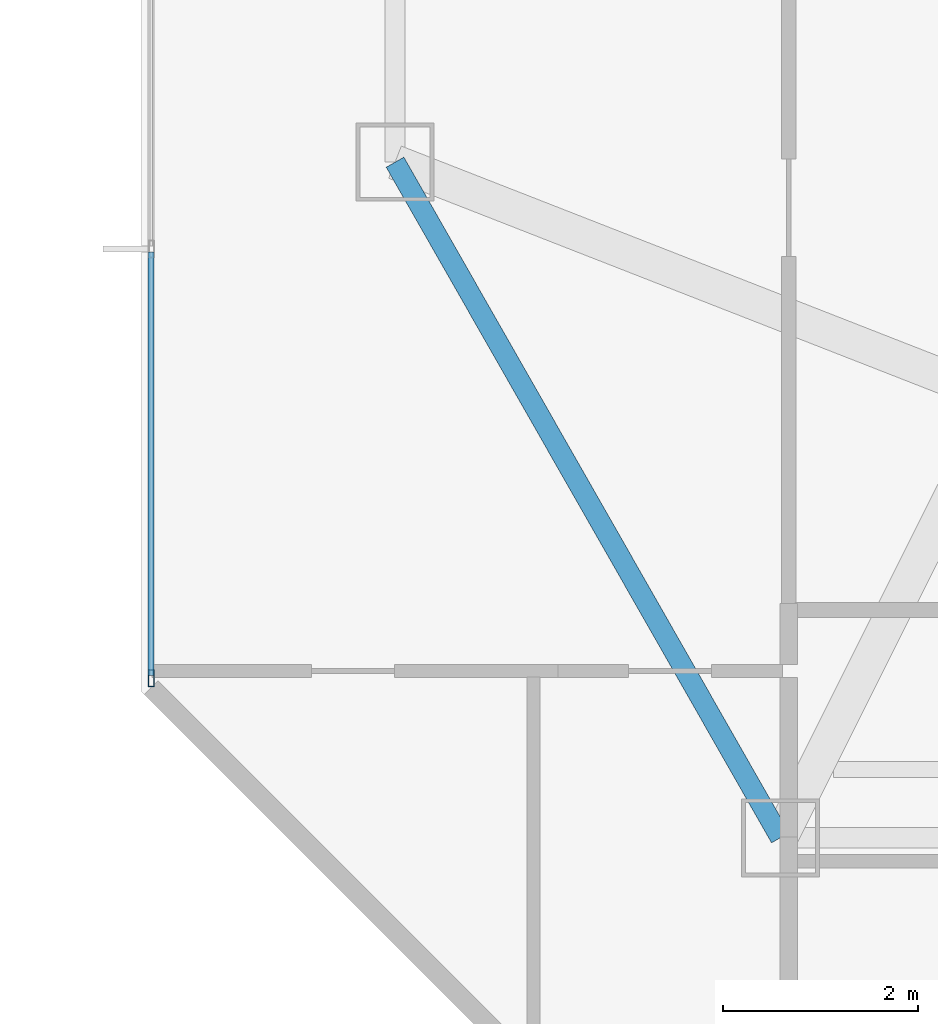
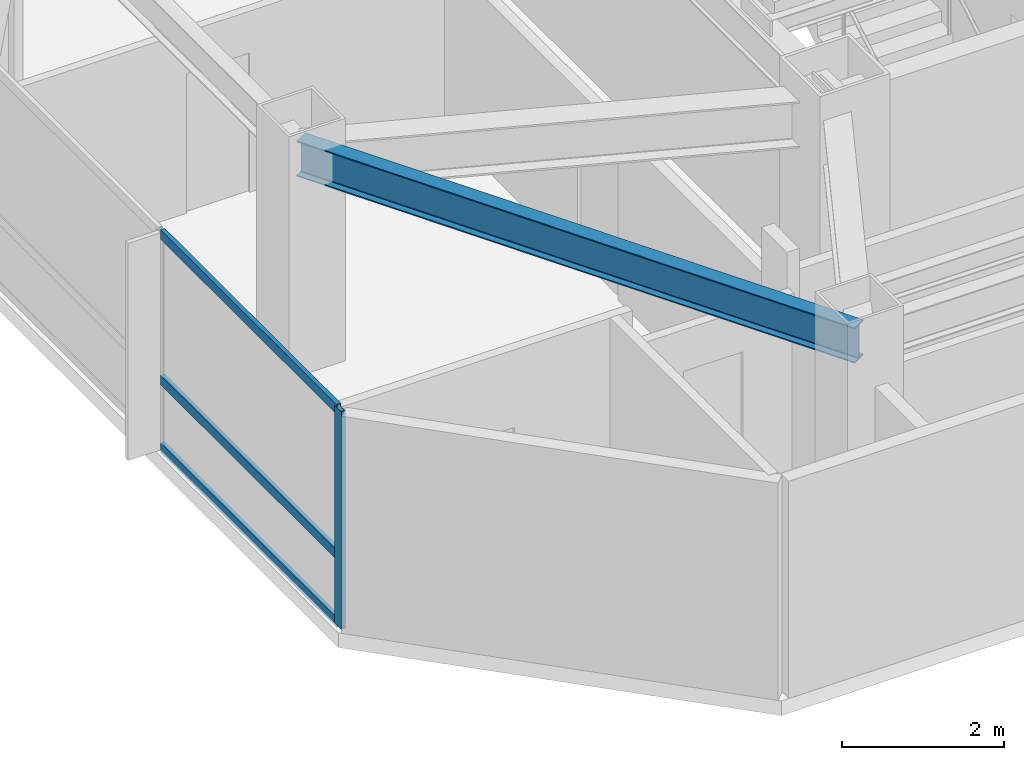
# One storey, part 2 of 14: 4 members, 1 beam, 1 element without a shape of its own.
"""IFC4 building model written with IfcOpenShell, lengths in metres."""

from ifc_helpers import new_model, si_unit, direction, frame, origin, origin_2d, place, context, subcontext, project, spatial, hollow_rectangle, i_section, extrude, material, material_profile, profile_set, type_object, element, aggregate, save


model = new_model("IFC4")

# Units and contexts
model_context = context("Model", 3, precision=1e-05, world=origin(), true_north=direction((0.0, 1.0)))
body_context = subcontext(model_context, "Body", "Model", "MODEL_VIEW")
ifc_project = project(units=[si_unit("LENGTHUNIT", "METRE"), si_unit("AREAUNIT", "SQUARE_METRE"), si_unit("VOLUMEUNIT", "CUBIC_METRE"), si_unit("PLANEANGLEUNIT", "RADIAN"), si_unit("MASSUNIT", "GRAM", prefix="KILO")], contexts=[model_context])

# Site, building, storey
site_placement = place(None, origin())
site = spatial("IfcSite", under=ifc_project, at=site_placement, CompositionType="ELEMENT")
building_placement = place(site_placement, origin())
building = spatial("IfcBuilding", under=site, at=building_placement, Name="Khamvora Tower", CompositionType="ELEMENT")
storey_placement = place(building_placement, frame((0.0, 0.0, 261.0)))
storey = spatial("IfcBuildingStorey", under=building, at=storey_placement, Name="L67", CompositionType="ELEMENT", Elevation=261.0)

# Beam
ifc_material_1 = material(Name="Steel S355", Category="steel")
ifc_material_profile_1 = material_profile(ifc_material_1, i_section(OverallWidth=0.208984375, OverallDepth=0.532958984375, WebThickness=0.010009765625, FlangeThickness=0.01611328125, FilletRadius=0.013916015625, at=origin_2d()), Name="W530x92")
ifc_profile_set_1 = profile_set([ifc_material_profile_1], Name="Steel S355")
beam_type = type_object("IfcBeamType", Name="BM-SP-W530x92", PredefinedType="SPANDREL", material=ifc_profile_set_1)
beam_placement = place(storey_placement, frame((22.800048828125, 21.425048828125, 3.0029296875), z_axis=(0.495456118564, -0.868632968853, 0.0), x_axis=(0.868632968853, 0.495456118564, 0.0)))
element("IfcBeam", 1, at=beam_placement, inside=storey, type_object=beam_type, Name="L67 perimeter spandrel beam W1-S1", PredefinedType="SPANDREL", context=body_context, shape_type="SweptSolid", body=[
    extrude(i_section(OverallWidth=0.208984375, OverallDepth=0.532958984375, WebThickness=0.010009765625, FlangeThickness=0.01611328125, FilletRadius=0.013916015625, at=origin_2d()), origin(), (0.0, 0.0, 1.0), 7.972412109375),
])

# Curtain wall, members
ifc_material_2 = material(Name="Anodised Aluminium 6063-T6", Category="aluminium")
curtain_wall_type = type_object("IfcCurtainWallType", Name="CW-SYS-05", PredefinedType="NOTDEFINED", material=ifc_material_2)
curtain_wall_placement = place(storey_placement, origin())
curtain_wall = element("IfcCurtainWall", 2, at=curtain_wall_placement, inside=storey, type_object=curtain_wall_type, Name="L67 stick curtain wall 02.1", PredefinedType="NOTDEFINED")
ifc_material_profile_2 = material_profile(ifc_material_2, hollow_rectangle(XDim=0.06005859375, YDim=0.175048828125, WallThickness=0.0048828125, at=origin_2d()), Name="MUL60x175x5")
ifc_profile_set_2 = profile_set([ifc_material_profile_2], Name="Anodised Aluminium 6063-T6")
member_type_1 = type_object("IfcMemberType", Name="CW-SYS-05-MUL", PredefinedType="MULLION", material=ifc_profile_set_2)
member_1_placement = place(storey_placement, frame((20.300048828125, 16.134033203125, 0.0), z_axis=(0.0, 0.0, 1.0), x_axis=(-1.0, 0.0, 0.0)))
member_1 = element("IfcMember", 3, at=member_1_placement, type_object=member_type_1, Name="CW-05 mullion 1", PredefinedType="MULLION", context=body_context, shape_type="SweptSolid", body=[
    extrude(hollow_rectangle(XDim=0.06005859375, YDim=0.175048828125, WallThickness=0.0048828125, at=origin_2d()), origin(), (0.0, 0.0, 1.0), 3.27001953125),
])
ifc_material_profile_3 = material_profile(ifc_material_2, hollow_rectangle(XDim=0.06005859375, YDim=0.14501953125, WallThickness=0.0048828125, at=origin_2d()), Name="TRN60x145x5")
ifc_profile_set_3 = profile_set([ifc_material_profile_3], Name="Anodised Aluminium 6063-T6")
member_type_2 = type_object("IfcMemberType", Name="CW-SYS-05-TRN", PredefinedType="USERDEFINED", material=ifc_profile_set_3)
member_2_placement = place(storey_placement, frame((20.300048828125, 16.1640625, 0.030029296875), z_axis=(0.0, 1.0, 0.0), x_axis=(-1.0, 0.0, 0.0)))
member_2 = element("IfcMember", 4, at=member_2_placement, type_object=member_type_2, Name="CW-05 transom 1.1", ObjectType="TRANSOM", PredefinedType="USERDEFINED", context=body_context, shape_type="SweptSolid", body=[
    extrude(hollow_rectangle(XDim=0.06005859375, YDim=0.14501953125, WallThickness=0.0048828125, at=origin_2d()), origin(), (0.0, 0.0, 1.0), 4.341552734375),
])
member_3_placement = place(storey_placement, frame((20.300048828125, 16.1640625, 1.050048828125), z_axis=(0.0, 1.0, 0.0), x_axis=(-1.0, 0.0, 0.0)))
member_3 = element("IfcMember", 5, at=member_3_placement, type_object=member_type_2, Name="CW-05 transom 1.2", ObjectType="TRANSOM", PredefinedType="USERDEFINED", context=body_context, shape_type="SweptSolid", body=[
    extrude(hollow_rectangle(XDim=0.06005859375, YDim=0.14501953125, WallThickness=0.0048828125, at=origin_2d()), origin(), (0.0, 0.0, 1.0), 4.341552734375),
])
member_4_placement = place(storey_placement, frame((20.300048828125, 16.1640625, 3.239990234375), z_axis=(0.0, 1.0, 0.0), x_axis=(-1.0, 0.0, 0.0)))
member_4 = element("IfcMember", 6, at=member_4_placement, type_object=member_type_2, Name="CW-05 transom 1.3", ObjectType="TRANSOM", PredefinedType="USERDEFINED", context=body_context, shape_type="SweptSolid", body=[
    extrude(hollow_rectangle(XDim=0.06005859375, YDim=0.14501953125, WallThickness=0.0048828125, at=origin_2d()), origin(), (0.0, 0.0, 1.0), 4.341552734375),
])
aggregate(curtain_wall, [member_1, member_2, member_3, member_4])

save(model, "model.ifc")
